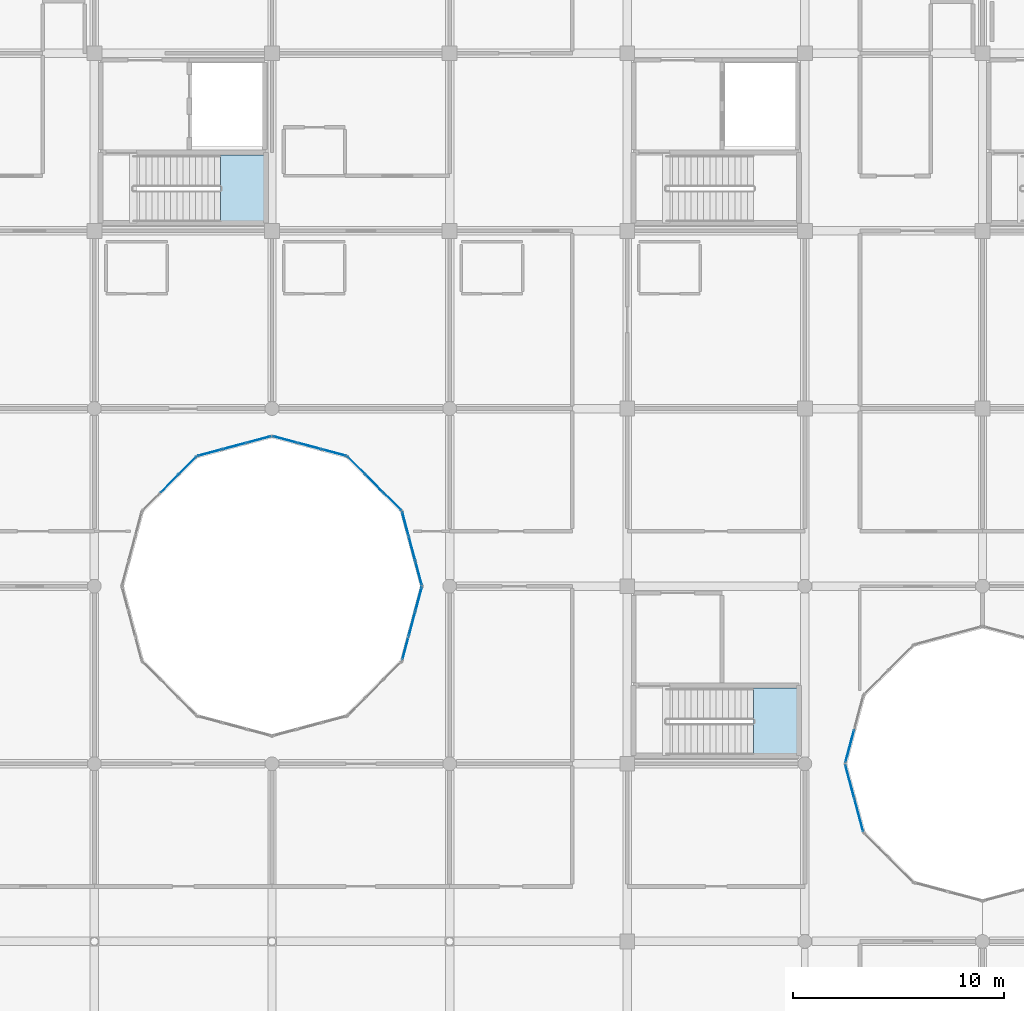
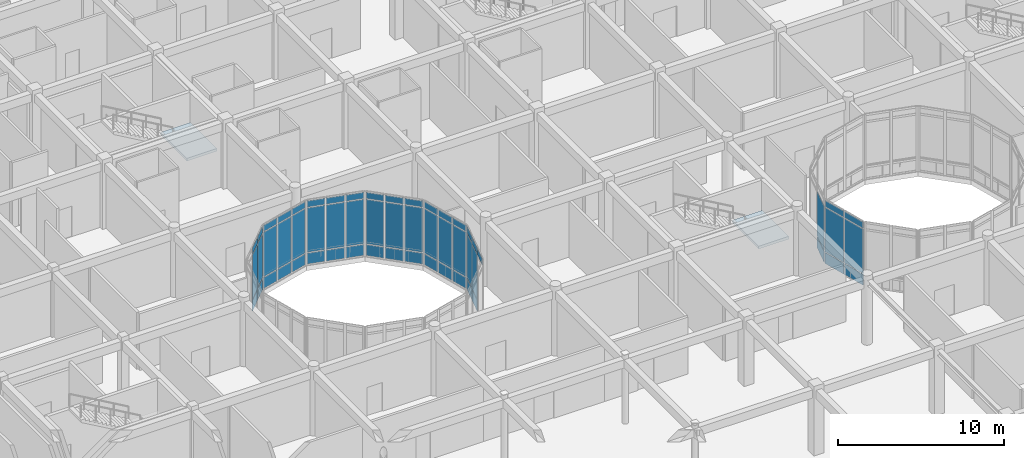
# One storey, part 78 of 134: 57 plates, 2 slabs, 10 elements without a shape of their own.
"""IFC4 building model written with IfcOpenShell, lengths in metres."""

from ifc_helpers import new_model, si_unit, direction, frame, origin, origin_2d, place, context, subcontext, project, spatial, polyline, rectangle, outline, extrude, material, layer, layer_set, type_object, element, aggregate, save


model = new_model("IFC4")

# Units and contexts
model_context = context("Model", 3, precision=1e-05, world=origin(), true_north=direction((0.0, 1.0)))
body_context = subcontext(model_context, "Body", "Model", "MODEL_VIEW")
ifc_project = project(units=[si_unit("LENGTHUNIT", "METRE"), si_unit("AREAUNIT", "SQUARE_METRE"), si_unit("VOLUMEUNIT", "CUBIC_METRE"), si_unit("PLANEANGLEUNIT", "RADIAN"), si_unit("MASSUNIT", "GRAM", prefix="KILO")], contexts=[model_context])

# Site, building, storey
site_placement = place(None, origin())
site = spatial("IfcSite", under=ifc_project, at=site_placement, CompositionType="ELEMENT")
building_placement = place(site_placement, origin())
building = spatial("IfcBuilding", under=site, at=building_placement, Name="Bramfleet General Hospital", CompositionType="ELEMENT")
storey_placement = place(building_placement, frame((0.0, 0.0, 9.300048828125)))
storey = spatial("IfcBuildingStorey", under=building, at=storey_placement, Name="L02", CompositionType="ELEMENT", Elevation=9.300048828125)

# Curtain wall, plates
ifc_material_1 = material(Name="Anodised aluminium and low-E triple glazing", Category="aluminium")
ifc_layer_1 = layer(ifc_material_1, 0.179931640625, Name="CWT-CW-14")
ifc_layer_set_1 = layer_set([ifc_layer_1], Name="Anodised aluminium and low-E triple glazing")
curtain_wall_type_1 = type_object("IfcCurtainWallType", Name="CWT-CW-14", PredefinedType="USERDEFINED", material=ifc_layer_set_1)
curtain_wall_1_placement = place(storey_placement, origin())
curtain_wall_1 = element("IfcCurtainWall", 1, at=curtain_wall_1_placement, inside=storey, type_object=curtain_wall_type_1, Name="L02 Central Diagnostic Light Court Curtain Wall 6.1", ObjectType="Stick curtain wall", PredefinedType="USERDEFINED")
ifc_material_2 = material(Name="Low-E laminated safety glass", Category="glass")
ifc_layer_2 = layer(ifc_material_2, 0.031982421875, Name="CWP-GLZ-2")
ifc_layer_set_2 = layer_set([ifc_layer_2], Name="Low-E laminated safety glass")
plate_type = type_object("IfcPlateType", Name="CWP-GLZ-2", PredefinedType="CURTAIN_PANEL", material=ifc_layer_set_2)
plate_1_placement = place(storey_placement, frame((90.31201171875, 72.65869140625, 4.25244140625), z_axis=(0.0, 0.0, 1.0), x_axis=(0.258763286618, 0.965940765005, 0.0)))
plate_1 = element("IfcPlate", 2, at=plate_1_placement, type_object=plate_type, Name="CW-14 panel 1.3", PredefinedType="CURTAIN_PANEL", context=body_context, shape_type="SweptSolid", body=[
    extrude(rectangle(XDim=1.1201171875, YDim=0.031982421875, at=origin_2d()), origin(), (0.0, 0.0, 1.0), 0.452392578125),
])
plate_2_placement = place(storey_placement, frame((90.62451171875, 73.824951171875, 0.06494140625), z_axis=(0.0, 0.0, 1.0), x_axis=(0.258763286618, 0.965940765005, 0.0)))
plate_2 = element("IfcPlate", 3, at=plate_2_placement, type_object=plate_type, Name="CW-14 panel 2.1", PredefinedType="CURTAIN_PANEL", context=body_context, shape_type="SweptSolid", body=[
    extrude(rectangle(XDim=1.155029296875, YDim=0.031982421875, at=origin_2d()), origin(), (0.0, 0.0, 1.0), 0.802490234375),
])
plate_3_placement = place(storey_placement, frame((90.62451171875, 73.824951171875, 0.9326171875), z_axis=(0.0, 0.0, 1.0), x_axis=(0.258763286618, 0.965940765005, 0.0)))
plate_3 = element("IfcPlate", 4, at=plate_3_placement, type_object=plate_type, Name="CW-14 panel 2.2", PredefinedType="CURTAIN_PANEL", context=body_context, shape_type="SweptSolid", body=[
    extrude(rectangle(XDim=1.155029296875, YDim=0.031982421875, at=origin_2d()), origin(), (0.0, 0.0, 1.0), 3.2548828125),
])
plate_4_placement = place(storey_placement, frame((90.62451171875, 73.824951171875, 4.25244140625), z_axis=(0.0, 0.0, 1.0), x_axis=(0.258763286618, 0.965940765005, 0.0)))
plate_4 = element("IfcPlate", 5, at=plate_4_placement, type_object=plate_type, Name="CW-14 panel 2.3", PredefinedType="CURTAIN_PANEL", context=body_context, shape_type="SweptSolid", body=[
    extrude(rectangle(XDim=1.155029296875, YDim=0.031982421875, at=origin_2d()), origin(), (0.0, 0.0, 1.0), 0.452392578125),
])
plate_5_placement = place(storey_placement, frame((90.93701171875, 74.991455078125, 0.06494140625), z_axis=(0.0, 0.0, 1.0), x_axis=(0.258763286618, 0.965940765005, 0.0)))
plate_5 = element("IfcPlate", 6, at=plate_5_placement, type_object=plate_type, Name="CW-14 panel 3.1", PredefinedType="CURTAIN_PANEL", context=body_context, shape_type="SweptSolid", body=[
    extrude(rectangle(XDim=1.1201171875, YDim=0.031982421875, at=origin_2d()), origin(), (0.0, 0.0, 1.0), 0.802490234375),
])
plate_6_placement = place(storey_placement, frame((90.93701171875, 74.991455078125, 0.9326171875), z_axis=(0.0, 0.0, 1.0), x_axis=(0.258763286618, 0.965940765005, 0.0)))
plate_6 = element("IfcPlate", 7, at=plate_6_placement, type_object=plate_type, Name="CW-14 panel 3.2", PredefinedType="CURTAIN_PANEL", context=body_context, shape_type="SweptSolid", body=[
    extrude(rectangle(XDim=1.1201171875, YDim=0.031982421875, at=origin_2d()), origin(), (0.0, 0.0, 1.0), 3.2548828125),
])
plate_7_placement = place(storey_placement, frame((90.93701171875, 74.991455078125, 4.25244140625), z_axis=(0.0, 0.0, 1.0), x_axis=(0.258763286618, 0.965940765005, 0.0)))
plate_7 = element("IfcPlate", 8, at=plate_7_placement, type_object=plate_type, Name="CW-14 panel 3.3", PredefinedType="CURTAIN_PANEL", context=body_context, shape_type="SweptSolid", body=[
    extrude(rectangle(XDim=1.1201171875, YDim=0.031982421875, at=origin_2d()), origin(), (0.0, 0.0, 1.0), 0.452392578125),
])
aggregate(curtain_wall_1, [plate_1, plate_2, plate_3, plate_4, plate_5, plate_6, plate_7])

ifc_layer_3 = layer(ifc_material_1, 0.179931640625, Name="CWT-CW-15")
ifc_layer_set_3 = layer_set([ifc_layer_3], Name="Anodised aluminium and low-E triple glazing")
curtain_wall_type_2 = type_object("IfcCurtainWallType", Name="CWT-CW-15", PredefinedType="USERDEFINED", material=ifc_layer_set_3)
curtain_wall_2_placement = place(storey_placement, origin())
curtain_wall_2 = element("IfcCurtainWall", 9, at=curtain_wall_2_placement, inside=storey, type_object=curtain_wall_type_2, Name="L02 Central Diagnostic Light Court Curtain Wall 7.1", ObjectType="Stick curtain wall", PredefinedType="USERDEFINED")
plate_8_placement = place(storey_placement, frame((90.93701171875, 76.20849609375, 0.06494140625), z_axis=(0.0, 0.0, 1.0), x_axis=(-0.258763286618, 0.965940765005, 0.0)))
plate_8 = element("IfcPlate", 10, at=plate_8_placement, type_object=plate_type, Name="CW-15 panel 1.1", PredefinedType="CURTAIN_PANEL", context=body_context, shape_type="SweptSolid", body=[
    extrude(rectangle(XDim=1.1201171875, YDim=0.031982421875, at=origin_2d()), origin(), (0.0, 0.0, 1.0), 0.802490234375),
])
plate_9_placement = place(storey_placement, frame((90.93701171875, 76.20849609375, 0.9326171875), z_axis=(0.0, 0.0, 1.0), x_axis=(-0.258763286618, 0.965940765005, 0.0)))
plate_9 = element("IfcPlate", 11, at=plate_9_placement, type_object=plate_type, Name="CW-15 panel 1.2", PredefinedType="CURTAIN_PANEL", context=body_context, shape_type="SweptSolid", body=[
    extrude(rectangle(XDim=1.1201171875, YDim=0.031982421875, at=origin_2d()), origin(), (0.0, 0.0, 1.0), 3.2548828125),
])
plate_10_placement = place(storey_placement, frame((90.93701171875, 76.20849609375, 4.25244140625), z_axis=(0.0, 0.0, 1.0), x_axis=(-0.258763286618, 0.965940765005, 0.0)))
plate_10 = element("IfcPlate", 12, at=plate_10_placement, type_object=plate_type, Name="CW-15 panel 1.3", PredefinedType="CURTAIN_PANEL", context=body_context, shape_type="SweptSolid", body=[
    extrude(rectangle(XDim=1.1201171875, YDim=0.031982421875, at=origin_2d()), origin(), (0.0, 0.0, 1.0), 0.452392578125),
])
plate_11_placement = place(storey_placement, frame((90.62451171875, 77.375, 0.06494140625), z_axis=(0.0, 0.0, 1.0), x_axis=(-0.258763286618, 0.965940765005, 0.0)))
plate_11 = element("IfcPlate", 13, at=plate_11_placement, type_object=plate_type, Name="CW-15 panel 2.1", PredefinedType="CURTAIN_PANEL", context=body_context, shape_type="SweptSolid", body=[
    extrude(rectangle(XDim=1.155029296875, YDim=0.031982421875, at=origin_2d()), origin(), (0.0, 0.0, 1.0), 0.802490234375),
])
plate_12_placement = place(storey_placement, frame((90.62451171875, 77.375, 0.9326171875), z_axis=(0.0, 0.0, 1.0), x_axis=(-0.258763286618, 0.965940765005, 0.0)))
plate_12 = element("IfcPlate", 14, at=plate_12_placement, type_object=plate_type, Name="CW-15 panel 2.2", PredefinedType="CURTAIN_PANEL", context=body_context, shape_type="SweptSolid", body=[
    extrude(rectangle(XDim=1.155029296875, YDim=0.031982421875, at=origin_2d()), origin(), (0.0, 0.0, 1.0), 3.2548828125),
])
plate_13_placement = place(storey_placement, frame((90.62451171875, 77.375, 4.25244140625), z_axis=(0.0, 0.0, 1.0), x_axis=(-0.258763286618, 0.965940765005, 0.0)))
plate_13 = element("IfcPlate", 15, at=plate_13_placement, type_object=plate_type, Name="CW-15 panel 2.3", PredefinedType="CURTAIN_PANEL", context=body_context, shape_type="SweptSolid", body=[
    extrude(rectangle(XDim=1.155029296875, YDim=0.031982421875, at=origin_2d()), origin(), (0.0, 0.0, 1.0), 0.452392578125),
])
plate_14_placement = place(storey_placement, frame((90.31201171875, 78.54150390625, 0.06494140625), z_axis=(0.0, 0.0, 1.0), x_axis=(-0.258763286618, 0.965940765005, 0.0)))
plate_14 = element("IfcPlate", 16, at=plate_14_placement, type_object=plate_type, Name="CW-15 panel 3.1", PredefinedType="CURTAIN_PANEL", context=body_context, shape_type="SweptSolid", body=[
    extrude(rectangle(XDim=1.1201171875, YDim=0.031982421875, at=origin_2d()), origin(), (0.0, 0.0, 1.0), 0.802490234375),
])
plate_15_placement = place(storey_placement, frame((90.31201171875, 78.54150390625, 0.9326171875), z_axis=(0.0, 0.0, 1.0), x_axis=(-0.258763286618, 0.965940765005, 0.0)))
plate_15 = element("IfcPlate", 17, at=plate_15_placement, type_object=plate_type, Name="CW-15 panel 3.2", PredefinedType="CURTAIN_PANEL", context=body_context, shape_type="SweptSolid", body=[
    extrude(rectangle(XDim=1.1201171875, YDim=0.031982421875, at=origin_2d()), origin(), (0.0, 0.0, 1.0), 3.2548828125),
])
plate_16_placement = place(storey_placement, frame((90.31201171875, 78.54150390625, 4.25244140625), z_axis=(0.0, 0.0, 1.0), x_axis=(-0.258763286618, 0.965940765005, 0.0)))
plate_16 = element("IfcPlate", 18, at=plate_16_placement, type_object=plate_type, Name="CW-15 panel 3.3", PredefinedType="CURTAIN_PANEL", context=body_context, shape_type="SweptSolid", body=[
    extrude(rectangle(XDim=1.1201171875, YDim=0.031982421875, at=origin_2d()), origin(), (0.0, 0.0, 1.0), 0.452392578125),
])
aggregate(curtain_wall_2, [plate_8, plate_9, plate_10, plate_11, plate_12, plate_13, plate_14, plate_15, plate_16])

ifc_layer_4 = layer(ifc_material_1, 0.179931640625, Name="CWT-CW-16")
ifc_layer_set_4 = layer_set([ifc_layer_4], Name="Anodised aluminium and low-E triple glazing")
curtain_wall_type_3 = type_object("IfcCurtainWallType", Name="CWT-CW-16", PredefinedType="USERDEFINED", material=ifc_layer_set_4)
curtain_wall_3_placement = place(storey_placement, origin())
curtain_wall_3 = element("IfcCurtainWall", 19, at=curtain_wall_3_placement, inside=storey, type_object=curtain_wall_type_3, Name="L02 Central Diagnostic Light Court Curtain Wall 8.1", ObjectType="Stick curtain wall", PredefinedType="USERDEFINED")
plate_17_placement = place(storey_placement, frame((89.703369140625, 79.595458984375, 0.06494140625), z_axis=(0.0, 0.0, 1.0), x_axis=(-0.707106781187, 0.707106781187, 0.0)))
plate_17 = element("IfcPlate", 20, at=plate_17_placement, type_object=plate_type, Name="CW-16 panel 1.1", PredefinedType="CURTAIN_PANEL", context=body_context, shape_type="SweptSolid", body=[
    extrude(rectangle(XDim=1.1201171875, YDim=0.031982421875, at=origin_2d()), origin(), (0.0, 0.0, 1.0), 0.802490234375),
])
plate_18_placement = place(storey_placement, frame((89.703369140625, 79.595458984375, 0.9326171875), z_axis=(0.0, 0.0, 1.0), x_axis=(-0.707106781187, 0.707106781187, 0.0)))
plate_18 = element("IfcPlate", 21, at=plate_18_placement, type_object=plate_type, Name="CW-16 panel 1.2", PredefinedType="CURTAIN_PANEL", context=body_context, shape_type="SweptSolid", body=[
    extrude(rectangle(XDim=1.1201171875, YDim=0.031982421875, at=origin_2d()), origin(), (0.0, 0.0, 1.0), 3.2548828125),
])
plate_19_placement = place(storey_placement, frame((89.703369140625, 79.595458984375, 4.25244140625), z_axis=(0.0, 0.0, 1.0), x_axis=(-0.707106781187, 0.707106781187, 0.0)))
plate_19 = element("IfcPlate", 22, at=plate_19_placement, type_object=plate_type, Name="CW-16 panel 1.3", PredefinedType="CURTAIN_PANEL", context=body_context, shape_type="SweptSolid", body=[
    extrude(rectangle(XDim=1.1201171875, YDim=0.031982421875, at=origin_2d()), origin(), (0.0, 0.0, 1.0), 0.452392578125),
])
plate_20_placement = place(storey_placement, frame((88.849609375, 80.449462890625, 0.06494140625), z_axis=(0.0, 0.0, 1.0), x_axis=(-0.707106781187, 0.707106781187, 0.0)))
plate_20 = element("IfcPlate", 23, at=plate_20_placement, type_object=plate_type, Name="CW-16 panel 2.1", PredefinedType="CURTAIN_PANEL", context=body_context, shape_type="SweptSolid", body=[
    extrude(rectangle(XDim=1.1552734375, YDim=0.031982421875, at=origin_2d()), origin(), (0.0, 0.0, 1.0), 0.802490234375),
])
plate_21_placement = place(storey_placement, frame((88.849609375, 80.449462890625, 0.9326171875), z_axis=(0.0, 0.0, 1.0), x_axis=(-0.707106781187, 0.707106781187, 0.0)))
plate_21 = element("IfcPlate", 24, at=plate_21_placement, type_object=plate_type, Name="CW-16 panel 2.2", PredefinedType="CURTAIN_PANEL", context=body_context, shape_type="SweptSolid", body=[
    extrude(rectangle(XDim=1.1552734375, YDim=0.031982421875, at=origin_2d()), origin(), (0.0, 0.0, 1.0), 3.2548828125),
])
plate_22_placement = place(storey_placement, frame((88.849609375, 80.449462890625, 4.25244140625), z_axis=(0.0, 0.0, 1.0), x_axis=(-0.707106781187, 0.707106781187, 0.0)))
plate_22 = element("IfcPlate", 25, at=plate_22_placement, type_object=plate_type, Name="CW-16 panel 2.3", PredefinedType="CURTAIN_PANEL", context=body_context, shape_type="SweptSolid", body=[
    extrude(rectangle(XDim=1.1552734375, YDim=0.031982421875, at=origin_2d()), origin(), (0.0, 0.0, 1.0), 0.452392578125),
])
plate_23_placement = place(storey_placement, frame((87.99560546875, 81.303466796875, 0.06494140625), z_axis=(0.0, 0.0, 1.0), x_axis=(-0.707106781187, 0.707106781187, 0.0)))
plate_23 = element("IfcPlate", 26, at=plate_23_placement, type_object=plate_type, Name="CW-16 panel 3.1", PredefinedType="CURTAIN_PANEL", context=body_context, shape_type="SweptSolid", body=[
    extrude(rectangle(XDim=1.1201171875, YDim=0.031982421875, at=origin_2d()), origin(), (0.0, 0.0, 1.0), 0.802490234375),
])
plate_24_placement = place(storey_placement, frame((87.99560546875, 81.303466796875, 0.9326171875), z_axis=(0.0, 0.0, 1.0), x_axis=(-0.707106781187, 0.707106781187, 0.0)))
plate_24 = element("IfcPlate", 27, at=plate_24_placement, type_object=plate_type, Name="CW-16 panel 3.2", PredefinedType="CURTAIN_PANEL", context=body_context, shape_type="SweptSolid", body=[
    extrude(rectangle(XDim=1.1201171875, YDim=0.031982421875, at=origin_2d()), origin(), (0.0, 0.0, 1.0), 3.2548828125),
])
plate_25_placement = place(storey_placement, frame((87.99560546875, 81.303466796875, 4.25244140625), z_axis=(0.0, 0.0, 1.0), x_axis=(-0.707106781187, 0.707106781187, 0.0)))
plate_25 = element("IfcPlate", 28, at=plate_25_placement, type_object=plate_type, Name="CW-16 panel 3.3", PredefinedType="CURTAIN_PANEL", context=body_context, shape_type="SweptSolid", body=[
    extrude(rectangle(XDim=1.1201171875, YDim=0.031982421875, at=origin_2d()), origin(), (0.0, 0.0, 1.0), 0.452392578125),
])
aggregate(curtain_wall_3, [plate_17, plate_18, plate_19, plate_20, plate_21, plate_22, plate_23, plate_24, plate_25])

ifc_layer_5 = layer(ifc_material_1, 0.179931640625, Name="CWT-CW-17")
ifc_layer_set_5 = layer_set([ifc_layer_5], Name="Anodised aluminium and low-E triple glazing")
curtain_wall_type_4 = type_object("IfcCurtainWallType", Name="CWT-CW-17", PredefinedType="USERDEFINED", material=ifc_layer_set_5)
curtain_wall_4_placement = place(storey_placement, origin())
curtain_wall_4 = element("IfcCurtainWall", 29, at=curtain_wall_4_placement, inside=storey, type_object=curtain_wall_type_4, Name="L02 Central Diagnostic Light Court Curtain Wall 9.1", ObjectType="Stick curtain wall", PredefinedType="USERDEFINED")
plate_26_placement = place(storey_placement, frame((86.94140625, 81.912109375, 0.06494140625), z_axis=(0.0, 0.0, 1.0), x_axis=(-0.965940765005, 0.258763286618, 0.0)))
plate_26 = element("IfcPlate", 30, at=plate_26_placement, type_object=plate_type, Name="CW-17 panel 1.1", PredefinedType="CURTAIN_PANEL", context=body_context, shape_type="SweptSolid", body=[
    extrude(rectangle(XDim=1.1201171875, YDim=0.031982421875, at=origin_2d()), origin(), (0.0, 0.0, 1.0), 0.802490234375),
])
plate_27_placement = place(storey_placement, frame((86.94140625, 81.912109375, 0.9326171875), z_axis=(0.0, 0.0, 1.0), x_axis=(-0.965940765005, 0.258763286618, 0.0)))
plate_27 = element("IfcPlate", 31, at=plate_27_placement, type_object=plate_type, Name="CW-17 panel 1.2", PredefinedType="CURTAIN_PANEL", context=body_context, shape_type="SweptSolid", body=[
    extrude(rectangle(XDim=1.1201171875, YDim=0.031982421875, at=origin_2d()), origin(), (0.0, 0.0, 1.0), 3.2548828125),
])
plate_28_placement = place(storey_placement, frame((86.94140625, 81.912109375, 4.25244140625), z_axis=(0.0, 0.0, 1.0), x_axis=(-0.965940765005, 0.258763286618, 0.0)))
plate_28 = element("IfcPlate", 32, at=plate_28_placement, type_object=plate_type, Name="CW-17 panel 1.3", PredefinedType="CURTAIN_PANEL", context=body_context, shape_type="SweptSolid", body=[
    extrude(rectangle(XDim=1.1201171875, YDim=0.031982421875, at=origin_2d()), origin(), (0.0, 0.0, 1.0), 0.452392578125),
])
plate_29_placement = place(storey_placement, frame((85.77490234375, 82.224609375, 0.06494140625), z_axis=(0.0, 0.0, 1.0), x_axis=(-0.965940765005, 0.258763286618, 0.0)))
plate_29 = element("IfcPlate", 33, at=plate_29_placement, type_object=plate_type, Name="CW-17 panel 2.1", PredefinedType="CURTAIN_PANEL", context=body_context, shape_type="SweptSolid", body=[
    extrude(rectangle(XDim=1.155029296875, YDim=0.031982421875, at=origin_2d()), origin(), (0.0, 0.0, 1.0), 0.802490234375),
])
plate_30_placement = place(storey_placement, frame((85.77490234375, 82.224609375, 0.9326171875), z_axis=(0.0, 0.0, 1.0), x_axis=(-0.965940765005, 0.258763286618, 0.0)))
plate_30 = element("IfcPlate", 34, at=plate_30_placement, type_object=plate_type, Name="CW-17 panel 2.2", PredefinedType="CURTAIN_PANEL", context=body_context, shape_type="SweptSolid", body=[
    extrude(rectangle(XDim=1.155029296875, YDim=0.031982421875, at=origin_2d()), origin(), (0.0, 0.0, 1.0), 3.2548828125),
])
plate_31_placement = place(storey_placement, frame((85.77490234375, 82.224609375, 4.25244140625), z_axis=(0.0, 0.0, 1.0), x_axis=(-0.965940765005, 0.258763286618, 0.0)))
plate_31 = element("IfcPlate", 35, at=plate_31_placement, type_object=plate_type, Name="CW-17 panel 2.3", PredefinedType="CURTAIN_PANEL", context=body_context, shape_type="SweptSolid", body=[
    extrude(rectangle(XDim=1.155029296875, YDim=0.031982421875, at=origin_2d()), origin(), (0.0, 0.0, 1.0), 0.452392578125),
])
plate_32_placement = place(storey_placement, frame((84.608642578125, 82.536865234375, 0.06494140625), z_axis=(0.0, 0.0, 1.0), x_axis=(-0.965940765005, 0.258763286618, 0.0)))
plate_32 = element("IfcPlate", 36, at=plate_32_placement, type_object=plate_type, Name="CW-17 panel 3.1", PredefinedType="CURTAIN_PANEL", context=body_context, shape_type="SweptSolid", body=[
    extrude(rectangle(XDim=1.1201171875, YDim=0.031982421875, at=origin_2d()), origin(), (0.0, 0.0, 1.0), 0.802490234375),
])
plate_33_placement = place(storey_placement, frame((84.608642578125, 82.536865234375, 0.9326171875), z_axis=(0.0, 0.0, 1.0), x_axis=(-0.965940765005, 0.258763286618, 0.0)))
plate_33 = element("IfcPlate", 37, at=plate_33_placement, type_object=plate_type, Name="CW-17 panel 3.2", PredefinedType="CURTAIN_PANEL", context=body_context, shape_type="SweptSolid", body=[
    extrude(rectangle(XDim=1.1201171875, YDim=0.031982421875, at=origin_2d()), origin(), (0.0, 0.0, 1.0), 3.2548828125),
])
plate_34_placement = place(storey_placement, frame((84.608642578125, 82.536865234375, 4.25244140625), z_axis=(0.0, 0.0, 1.0), x_axis=(-0.965940765005, 0.258763286618, 0.0)))
plate_34 = element("IfcPlate", 38, at=plate_34_placement, type_object=plate_type, Name="CW-17 panel 3.3", PredefinedType="CURTAIN_PANEL", context=body_context, shape_type="SweptSolid", body=[
    extrude(rectangle(XDim=1.1201171875, YDim=0.031982421875, at=origin_2d()), origin(), (0.0, 0.0, 1.0), 0.452392578125),
])
aggregate(curtain_wall_4, [plate_26, plate_27, plate_28, plate_29, plate_30, plate_31, plate_32, plate_33, plate_34])

ifc_layer_6 = layer(ifc_material_1, 0.179931640625, Name="CWT-CW-18")
ifc_layer_set_6 = layer_set([ifc_layer_6], Name="Anodised aluminium and low-E triple glazing")
curtain_wall_type_5 = type_object("IfcCurtainWallType", Name="CWT-CW-18", PredefinedType="USERDEFINED", material=ifc_layer_set_6)
curtain_wall_5_placement = place(storey_placement, origin())
curtain_wall_5 = element("IfcCurtainWall", 39, at=curtain_wall_5_placement, inside=storey, type_object=curtain_wall_type_5, Name="L02 Central Diagnostic Light Court Curtain Wall 10.1", ObjectType="Stick curtain wall", PredefinedType="USERDEFINED")
plate_35_placement = place(storey_placement, frame((83.391357421875, 82.536865234375, 0.06494140625), z_axis=(0.0, 0.0, 1.0), x_axis=(-0.965940765005, -0.258763286618, 0.0)))
plate_35 = element("IfcPlate", 40, at=plate_35_placement, type_object=plate_type, Name="CW-18 panel 1.1", PredefinedType="CURTAIN_PANEL", context=body_context, shape_type="SweptSolid", body=[
    extrude(rectangle(XDim=1.1201171875, YDim=0.031982421875, at=origin_2d()), origin(), (0.0, 0.0, 1.0), 0.802490234375),
])
plate_36_placement = place(storey_placement, frame((83.391357421875, 82.536865234375, 0.9326171875), z_axis=(0.0, 0.0, 1.0), x_axis=(-0.965940765005, -0.258763286618, 0.0)))
plate_36 = element("IfcPlate", 41, at=plate_36_placement, type_object=plate_type, Name="CW-18 panel 1.2", PredefinedType="CURTAIN_PANEL", context=body_context, shape_type="SweptSolid", body=[
    extrude(rectangle(XDim=1.1201171875, YDim=0.031982421875, at=origin_2d()), origin(), (0.0, 0.0, 1.0), 3.2548828125),
])
plate_37_placement = place(storey_placement, frame((83.391357421875, 82.536865234375, 4.25244140625), z_axis=(0.0, 0.0, 1.0), x_axis=(-0.965940765005, -0.258763286618, 0.0)))
plate_37 = element("IfcPlate", 42, at=plate_37_placement, type_object=plate_type, Name="CW-18 panel 1.3", PredefinedType="CURTAIN_PANEL", context=body_context, shape_type="SweptSolid", body=[
    extrude(rectangle(XDim=1.1201171875, YDim=0.031982421875, at=origin_2d()), origin(), (0.0, 0.0, 1.0), 0.452392578125),
])
plate_38_placement = place(storey_placement, frame((82.22509765625, 82.224609375, 0.06494140625), z_axis=(0.0, 0.0, 1.0), x_axis=(-0.965940765005, -0.258763286618, 0.0)))
plate_38 = element("IfcPlate", 43, at=plate_38_placement, type_object=plate_type, Name="CW-18 panel 2.1", PredefinedType="CURTAIN_PANEL", context=body_context, shape_type="SweptSolid", body=[
    extrude(rectangle(XDim=1.155029296875, YDim=0.031982421875, at=origin_2d()), origin(), (0.0, 0.0, 1.0), 0.802490234375),
])
plate_39_placement = place(storey_placement, frame((82.22509765625, 82.224609375, 0.9326171875), z_axis=(0.0, 0.0, 1.0), x_axis=(-0.965940765005, -0.258763286618, 0.0)))
plate_39 = element("IfcPlate", 44, at=plate_39_placement, type_object=plate_type, Name="CW-18 panel 2.2", PredefinedType="CURTAIN_PANEL", context=body_context, shape_type="SweptSolid", body=[
    extrude(rectangle(XDim=1.155029296875, YDim=0.031982421875, at=origin_2d()), origin(), (0.0, 0.0, 1.0), 3.2548828125),
])
plate_40_placement = place(storey_placement, frame((82.22509765625, 82.224609375, 4.25244140625), z_axis=(0.0, 0.0, 1.0), x_axis=(-0.965940765005, -0.258763286618, 0.0)))
plate_40 = element("IfcPlate", 45, at=plate_40_placement, type_object=plate_type, Name="CW-18 panel 2.3", PredefinedType="CURTAIN_PANEL", context=body_context, shape_type="SweptSolid", body=[
    extrude(rectangle(XDim=1.155029296875, YDim=0.031982421875, at=origin_2d()), origin(), (0.0, 0.0, 1.0), 0.452392578125),
])
plate_41_placement = place(storey_placement, frame((81.05859375, 81.912109375, 0.06494140625), z_axis=(0.0, 0.0, 1.0), x_axis=(-0.965940765005, -0.258763286618, 0.0)))
plate_41 = element("IfcPlate", 46, at=plate_41_placement, type_object=plate_type, Name="CW-18 panel 3.1", PredefinedType="CURTAIN_PANEL", context=body_context, shape_type="SweptSolid", body=[
    extrude(rectangle(XDim=1.1201171875, YDim=0.031982421875, at=origin_2d()), origin(), (0.0, 0.0, 1.0), 0.802490234375),
])
plate_42_placement = place(storey_placement, frame((81.05859375, 81.912109375, 0.9326171875), z_axis=(0.0, 0.0, 1.0), x_axis=(-0.965940765005, -0.258763286618, 0.0)))
plate_42 = element("IfcPlate", 47, at=plate_42_placement, type_object=plate_type, Name="CW-18 panel 3.2", PredefinedType="CURTAIN_PANEL", context=body_context, shape_type="SweptSolid", body=[
    extrude(rectangle(XDim=1.1201171875, YDim=0.031982421875, at=origin_2d()), origin(), (0.0, 0.0, 1.0), 3.2548828125),
])
plate_43_placement = place(storey_placement, frame((81.05859375, 81.912109375, 4.25244140625), z_axis=(0.0, 0.0, 1.0), x_axis=(-0.965940765005, -0.258763286618, 0.0)))
plate_43 = element("IfcPlate", 48, at=plate_43_placement, type_object=plate_type, Name="CW-18 panel 3.3", PredefinedType="CURTAIN_PANEL", context=body_context, shape_type="SweptSolid", body=[
    extrude(rectangle(XDim=1.1201171875, YDim=0.031982421875, at=origin_2d()), origin(), (0.0, 0.0, 1.0), 0.452392578125),
])
aggregate(curtain_wall_5, [plate_35, plate_36, plate_37, plate_38, plate_39, plate_40, plate_41, plate_42, plate_43])

ifc_layer_7 = layer(ifc_material_1, 0.179931640625, Name="CWT-CW-11")
ifc_layer_set_7 = layer_set([ifc_layer_7], Name="Anodised aluminium and low-E triple glazing")
curtain_wall_type_6 = type_object("IfcCurtainWallType", Name="CWT-CW-11", PredefinedType="USERDEFINED", material=ifc_layer_set_7)
curtain_wall_6_placement = place(storey_placement, origin())
curtain_wall_6 = element("IfcCurtainWall", 49, at=curtain_wall_6_placement, inside=storey, type_object=curtain_wall_type_6, Name="L02 Central Diagnostic Light Court Curtain Wall 11.1", ObjectType="Stick curtain wall", PredefinedType="USERDEFINED")
plate_44_placement = place(storey_placement, frame((80.00439453125, 81.303466796875, 0.06494140625), z_axis=(0.0, 0.0, 1.0), x_axis=(-0.707106781187, -0.707106781187, 0.0)))
plate_44 = element("IfcPlate", 50, at=plate_44_placement, type_object=plate_type, Name="CW-11 panel 1.1", PredefinedType="CURTAIN_PANEL", context=body_context, shape_type="SweptSolid", body=[
    extrude(rectangle(XDim=1.1201171875, YDim=0.031982421875, at=origin_2d()), origin(), (0.0, 0.0, 1.0), 0.802490234375),
])
plate_45_placement = place(storey_placement, frame((80.00439453125, 81.303466796875, 0.9326171875), z_axis=(0.0, 0.0, 1.0), x_axis=(-0.707106781187, -0.707106781187, 0.0)))
plate_45 = element("IfcPlate", 51, at=plate_45_placement, type_object=plate_type, Name="CW-11 panel 1.2", PredefinedType="CURTAIN_PANEL", context=body_context, shape_type="SweptSolid", body=[
    extrude(rectangle(XDim=1.1201171875, YDim=0.031982421875, at=origin_2d()), origin(), (0.0, 0.0, 1.0), 3.2548828125),
])
plate_46_placement = place(storey_placement, frame((80.00439453125, 81.303466796875, 4.25244140625), z_axis=(0.0, 0.0, 1.0), x_axis=(-0.707106781187, -0.707106781187, 0.0)))
plate_46 = element("IfcPlate", 52, at=plate_46_placement, type_object=plate_type, Name="CW-11 panel 1.3", PredefinedType="CURTAIN_PANEL", context=body_context, shape_type="SweptSolid", body=[
    extrude(rectangle(XDim=1.1201171875, YDim=0.031982421875, at=origin_2d()), origin(), (0.0, 0.0, 1.0), 0.452392578125),
])
plate_47_placement = place(storey_placement, frame((79.150390625, 80.449462890625, 0.06494140625), z_axis=(0.0, 0.0, 1.0), x_axis=(-0.707106781187, -0.707106781187, 0.0)))
plate_47 = element("IfcPlate", 53, at=plate_47_placement, type_object=plate_type, Name="CW-11 panel 2.1", PredefinedType="CURTAIN_PANEL", context=body_context, shape_type="SweptSolid", body=[
    extrude(rectangle(XDim=1.1552734375, YDim=0.031982421875, at=origin_2d()), origin(), (0.0, 0.0, 1.0), 0.802490234375),
])
plate_48_placement = place(storey_placement, frame((79.150390625, 80.449462890625, 0.9326171875), z_axis=(0.0, 0.0, 1.0), x_axis=(-0.707106781187, -0.707106781187, 0.0)))
plate_48 = element("IfcPlate", 54, at=plate_48_placement, type_object=plate_type, Name="CW-11 panel 2.2", PredefinedType="CURTAIN_PANEL", context=body_context, shape_type="SweptSolid", body=[
    extrude(rectangle(XDim=1.1552734375, YDim=0.031982421875, at=origin_2d()), origin(), (0.0, 0.0, 1.0), 3.2548828125),
])
plate_49_placement = place(storey_placement, frame((79.150390625, 80.449462890625, 4.25244140625), z_axis=(0.0, 0.0, 1.0), x_axis=(-0.707106781187, -0.707106781187, 0.0)))
plate_49 = element("IfcPlate", 55, at=plate_49_placement, type_object=plate_type, Name="CW-11 panel 2.3", PredefinedType="CURTAIN_PANEL", context=body_context, shape_type="SweptSolid", body=[
    extrude(rectangle(XDim=1.1552734375, YDim=0.031982421875, at=origin_2d()), origin(), (0.0, 0.0, 1.0), 0.452392578125),
])
aggregate(curtain_wall_6, [plate_44, plate_45, plate_46, plate_47, plate_48, plate_49])

ifc_layer_8 = layer(ifc_material_1, 0.179931640625, Name="CWT-CW-13")
ifc_layer_set_8 = layer_set([ifc_layer_8], Name="Anodised aluminium and low-E triple glazing")
curtain_wall_type_7 = type_object("IfcCurtainWallType", Name="CWT-CW-13", PredefinedType="USERDEFINED", material=ifc_layer_set_8)
curtain_wall_7_placement = place(storey_placement, origin())
curtain_wall_7 = element("IfcCurtainWall", 56, at=curtain_wall_7_placement, inside=storey, type_object=curtain_wall_type_7, Name="L02 East Laboratory Light Court Curtain Wall 1.1", ObjectType="Stick curtain wall", PredefinedType="USERDEFINED")
plate_50_placement = place(storey_placement, frame((111.322265625, 66.37060546875, 0.06494140625), z_axis=(0.0, 0.0, 1.0), x_axis=(0.258864833085, -0.965913556273, 0.0)))
plate_50 = element("IfcPlate", 57, at=plate_50_placement, type_object=plate_type, Name="CW-13 panel 1.1", PredefinedType="CURTAIN_PANEL", context=body_context, shape_type="SweptSolid", body=[
    extrude(rectangle(XDim=1.577392578125, YDim=0.031982421875, at=origin_2d()), origin(), (0.0, 0.0, 1.0), 0.802490234375),
])
plate_51_placement = place(storey_placement, frame((111.322265625, 66.37060546875, 0.9326171875), z_axis=(0.0, 0.0, 1.0), x_axis=(0.258864833085, -0.965913556273, 0.0)))
plate_51 = element("IfcPlate", 58, at=plate_51_placement, type_object=plate_type, Name="CW-13 panel 1.2", PredefinedType="CURTAIN_PANEL", context=body_context, shape_type="SweptSolid", body=[
    extrude(rectangle(XDim=1.577392578125, YDim=0.031982421875, at=origin_2d()), origin(), (0.0, 0.0, 1.0), 3.2548828125),
])
plate_52_placement = place(storey_placement, frame((111.322265625, 66.37060546875, 4.25244140625), z_axis=(0.0, 0.0, 1.0), x_axis=(0.258864833085, -0.965913556273, 0.0)))
plate_52 = element("IfcPlate", 59, at=plate_52_placement, type_object=plate_type, Name="CW-13 panel 1.3", PredefinedType="CURTAIN_PANEL", context=body_context, shape_type="SweptSolid", body=[
    extrude(rectangle(XDim=1.577392578125, YDim=0.031982421875, at=origin_2d()), origin(), (0.0, 0.0, 1.0), 0.452392578125),
])
plate_53_placement = place(storey_placement, frame((111.748779296875, 64.779296875, 0.06494140625), z_axis=(0.0, 0.0, 1.0), x_axis=(0.258864833085, -0.965913556273, 0.0)))
plate_53 = element("IfcPlate", 60, at=plate_53_placement, type_object=plate_type, Name="CW-13 panel 2.1", PredefinedType="CURTAIN_PANEL", context=body_context, shape_type="SweptSolid", body=[
    extrude(rectangle(XDim=1.577392578125, YDim=0.031982421875, at=origin_2d()), origin(), (0.0, 0.0, 1.0), 0.802490234375),
])
plate_54_placement = place(storey_placement, frame((111.748779296875, 64.779296875, 0.9326171875), z_axis=(0.0, 0.0, 1.0), x_axis=(0.258864833085, -0.965913556273, 0.0)))
plate_54 = element("IfcPlate", 61, at=plate_54_placement, type_object=plate_type, Name="CW-13 panel 2.2", PredefinedType="CURTAIN_PANEL", context=body_context, shape_type="SweptSolid", body=[
    extrude(rectangle(XDim=1.577392578125, YDim=0.031982421875, at=origin_2d()), origin(), (0.0, 0.0, 1.0), 3.2548828125),
])
plate_55_placement = place(storey_placement, frame((111.748779296875, 64.779296875, 4.25244140625), z_axis=(0.0, 0.0, 1.0), x_axis=(0.258864833085, -0.965913556273, 0.0)))
plate_55 = element("IfcPlate", 62, at=plate_55_placement, type_object=plate_type, Name="CW-13 panel 2.3", PredefinedType="CURTAIN_PANEL", context=body_context, shape_type="SweptSolid", body=[
    extrude(rectangle(XDim=1.577392578125, YDim=0.031982421875, at=origin_2d()), origin(), (0.0, 0.0, 1.0), 0.452392578125),
])
aggregate(curtain_wall_7, [plate_50, plate_51, plate_52, plate_53, plate_54, plate_55])

curtain_wall_8_placement = place(storey_placement, origin())
curtain_wall_8 = element("IfcCurtainWall", 63, at=curtain_wall_8_placement, inside=storey, type_object=curtain_wall_type_3, Name="L02 East Laboratory Light Court Curtain Wall 12.1", ObjectType="Stick curtain wall", PredefinedType="USERDEFINED")
plate_56_placement = place(storey_placement, frame((111.322265625, 68.029296875, 0.06494140625), z_axis=(0.0, 0.0, 1.0), x_axis=(-0.258864833085, -0.965913556273, 0.0)))
plate_56 = element("IfcPlate", 64, at=plate_56_placement, type_object=plate_type, Name="CW-16 panel 2.1", PredefinedType="CURTAIN_PANEL", context=body_context, shape_type="SweptSolid", body=[
    extrude(rectangle(XDim=1.577392578125, YDim=0.031982421875, at=origin_2d()), origin(), (0.0, 0.0, 1.0), 0.802490234375),
])
plate_57_placement = place(storey_placement, frame((111.322265625, 68.029296875, 0.9326171875), z_axis=(0.0, 0.0, 1.0), x_axis=(-0.258864833085, -0.965913556273, 0.0)))
plate_57 = element("IfcPlate", 65, at=plate_57_placement, type_object=plate_type, Name="CW-16 panel 2.2", PredefinedType="CURTAIN_PANEL", context=body_context, shape_type="SweptSolid", body=[
    extrude(rectangle(XDim=1.577392578125, YDim=0.031982421875, at=origin_2d()), origin(), (0.0, 0.0, 1.0), 3.2548828125),
])
aggregate(curtain_wall_8, [plate_56, plate_57])

# Stair, slab
ifc_material_3 = material(Name="Concrete C35/45", Category="concrete")
stair_type = type_object("IfcStairType", Name="STR-T1", PredefinedType="HALF_TURN_STAIR", material=ifc_material_3)
stair_1_placement = place(storey_placement, origin())
stair_1 = element("IfcStair", 66, at=stair_1_placement, inside=storey, type_object=stair_type, Name="L02 Core C5 (North-West Ward Wing) Protected Escape Stair", PredefinedType="HALF_TURN_STAIR")
ifc_layer_9 = layer(ifc_material_3, 0.199951171875, Name="SL-LND-200")
ifc_layer_set_9 = layer_set([ifc_layer_9], Name="Concrete C35/45")
slab_type = type_object("IfcSlabType", Name="SL-LND-200", PredefinedType="LANDING", material=ifc_layer_set_9)
slab_1_placement = place(storey_placement, frame((0.0, 0.0, 2.349853515625)))
slab_1 = element("IfcSlab", 67, at=slab_1_placement, type_object=slab_type, Name="ST-C5 landing 1", PredefinedType="LANDING", context=body_context, shape_type="SweptSolid", body=[
    extrude(outline(polyline([(81.570068359375, 92.820068359375), (83.659912109375, 92.820068359375), (83.659912109375, 95.97998046875), (81.570068359375, 95.97998046875), (81.570068359375, 92.820068359375)])), origin(), (0.0, 0.0, 1.0), 0.2001953125),
])
aggregate(stair_1, [slab_1])

stair_2_placement = place(storey_placement, origin())
stair_2 = element("IfcStair", 68, at=stair_2_placement, inside=storey, type_object=stair_type, Name="L02 Core C11 (Central Spine Escape) Protected Escape Stair", PredefinedType="HALF_TURN_STAIR")
slab_2_placement = place(storey_placement, frame((0.0, 0.0, 2.349853515625)))
slab_2 = element("IfcSlab", 69, at=slab_2_placement, type_object=slab_type, Name="ST-C11 landing 1", PredefinedType="LANDING", context=body_context, shape_type="SweptSolid", body=[
    extrude(outline(polyline([(106.77001953125, 67.6201171875), (108.860107421875, 67.6201171875), (108.860107421875, 70.780029296875), (106.77001953125, 70.780029296875), (106.77001953125, 67.6201171875)])), origin(), (0.0, 0.0, 1.0), 0.2001953125),
])
aggregate(stair_2, [slab_2])

save(model, "model.ifc")
